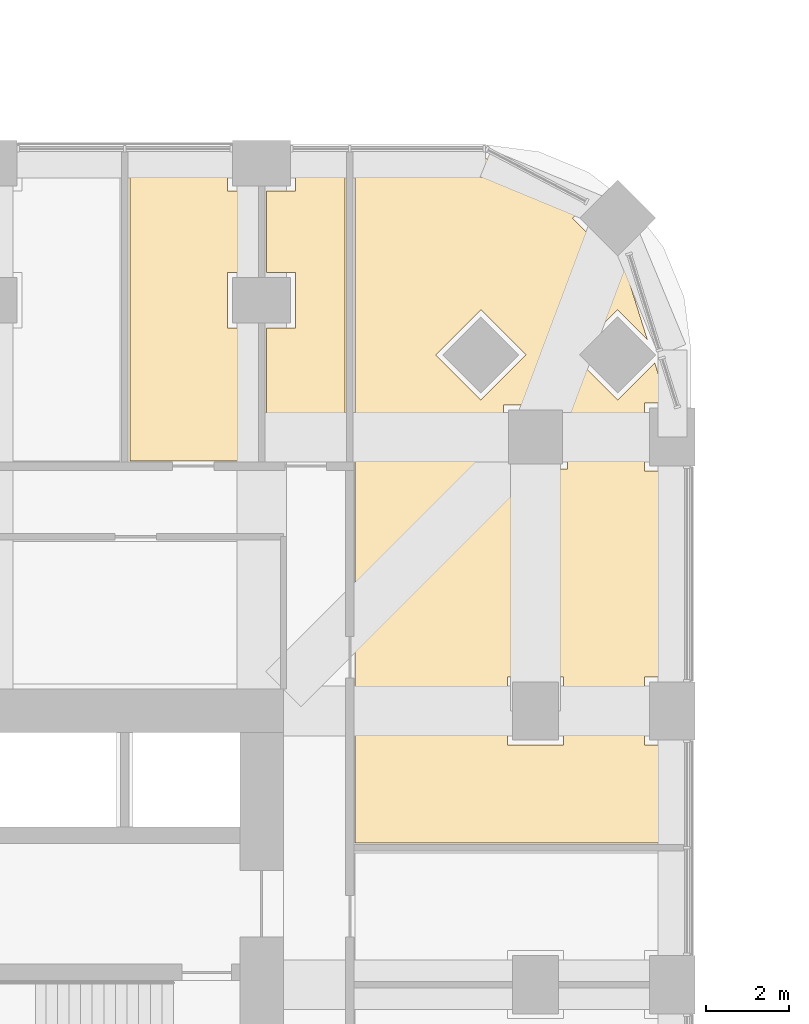
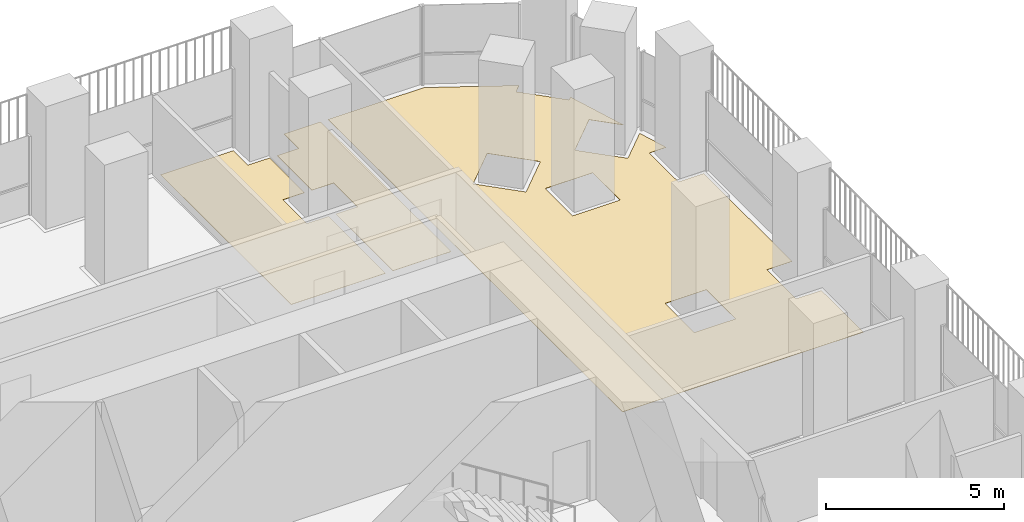
# One storey, part 20 of 21: 3 coverings.
"""IFC4 building model written with IfcOpenShell, lengths in metres."""

from ifc_helpers import new_model, si_unit, direction, frame, origin, place, context, subcontext, project, spatial, polyline, outline, extrude, material, layer, layer_set, type_object, element, save


model = new_model("IFC4")

# Units and contexts
model_context = context("Model", 3, precision=1e-05, world=origin(), true_north=direction((0.0, 1.0)))
body_context = subcontext(model_context, "Body", "Model", "MODEL_VIEW")
ifc_project = project(units=[si_unit("LENGTHUNIT", "METRE"), si_unit("AREAUNIT", "SQUARE_METRE"), si_unit("VOLUMEUNIT", "CUBIC_METRE"), si_unit("PLANEANGLEUNIT", "RADIAN"), si_unit("MASSUNIT", "GRAM", prefix="KILO")], contexts=[model_context])

# Site, building, storey
site_placement = place(None, origin())
site = spatial("IfcSite", under=ifc_project, at=site_placement, CompositionType="ELEMENT")
building_placement = place(site_placement, origin())
building = spatial("IfcBuilding", under=site, at=building_placement, Name="Cobogo Forest Laboratory Tower", CompositionType="ELEMENT")
storey_placement = place(building_placement, frame((0.0, 0.0, 124.199951171875)))
storey = spatial("IfcBuildingStorey", under=building, at=storey_placement, Name="L28", CompositionType="ELEMENT", Elevation=124.199951171875)

# Coverings
ifc_material_1 = material(Name="Carpet tile on raised access floor", Category="flooring")
ifc_layer_1 = layer(ifc_material_1, 0.008056640625)
ifc_layer_set_1 = layer_set([ifc_layer_1], Name="CT1 carpet tile floor 8")
covering_type_1 = type_object("IfcCoveringType", Name="CT1 carpet tile floor 8", PredefinedType="FLOORING", material=ifc_layer_set_1)
covering_1_placement = place(storey_placement, origin())
element("IfcCovering", 1, at=covering_1_placement, inside=storey, type_object=covering_type_1, Name="Carpet floor L28-15", PredefinedType="FLOORING", context=body_context, shape_type="SweptSolid", body=[
    extrude(outline(polyline([(41.844970703125, 46.35009765625), (44.95068359375, 46.35009765625), (47.3193359375, 45.1083984375), (47.093017578125, 44.882080078125), (48.181884765625, 43.79296875), (48.283935546875, 43.89501953125), (48.89599609375, 41.95703125), (48.181884765625, 42.6708984375), (47.093017578125, 41.58203125), (48.181884765625, 40.492919921875), (49.075927734375, 41.386962890625), (49.38134765625, 40.419921875), (48.830078125, 40.419921875), (48.830078125, 38.780029296875), (49.64990234375, 38.780029296875), (49.64990234375, 33.820068359375), (48.830078125, 33.820068359375), (48.830078125, 32.179931640625), (49.64990234375, 32.179931640625), (49.64990234375, 29.820068359375), (41.844970703125, 29.820068359375), (41.844970703125, 46.35009765625)]), holes=[polyline([(45.429931640625, 40.3701171875), (45.429931640625, 38.830078125), (46.969970703125, 38.830078125), (46.969970703125, 40.3701171875), (45.429931640625, 40.3701171875)]), polyline([(46.8701171875, 32.179931640625), (46.8701171875, 33.820068359375), (45.530029296875, 33.820068359375), (45.530029296875, 32.179931640625), (46.8701171875, 32.179931640625)]), polyline([(43.79296875, 41.58203125), (44.882080078125, 40.492919921875), (45.970947265625, 41.58203125), (44.882080078125, 42.6708984375), (43.79296875, 41.58203125)])]), origin(), (0.0, 0.0, 1.0), 0.008056640625),
])
ifc_material_2 = material(Name="Ceramic floor tile", Category="flooring")
ifc_layer_2 = layer(ifc_material_2, 0.010009765625)
ifc_layer_set_2 = layer_set([ifc_layer_2], Name="TF1 ceramic tile floor 10")
covering_type_2 = type_object("IfcCoveringType", Name="TF1 ceramic tile floor 10", PredefinedType="FLOORING", material=ifc_layer_set_2)
covering_2_placement = place(storey_placement, origin())
element("IfcCovering", 2, at=covering_2_placement, inside=storey, type_object=covering_type_2, Name="Tile floor L28-17", PredefinedType="FLOORING", context=body_context, shape_type="SweptSolid", body=[
    extrude(outline(polyline([(36.419921875, 39.02001953125), (36.419921875, 46.35009765625), (38.780029296875, 46.35009765625), (38.780029296875, 45.530029296875), (39.47998046875, 45.530029296875), (39.47998046875, 43.570068359375), (38.780029296875, 43.570068359375), (38.780029296875, 42.22998046875), (39.47998046875, 42.22998046875), (39.47998046875, 39.02001953125), (36.419921875, 39.02001953125)])), origin(), (0.0, 0.0, 1.0), 0.010009765625),
])
covering_3_placement = place(storey_placement, origin())
element("IfcCovering", 3, at=covering_3_placement, inside=storey, type_object=covering_type_2, Name="Tile floor L28-18", PredefinedType="FLOORING", context=body_context, shape_type="SweptSolid", body=[
    extrude(outline(polyline([(39.719970703125, 39.02001953125), (39.719970703125, 42.22998046875), (40.419921875, 42.22998046875), (40.419921875, 43.570068359375), (39.719970703125, 43.570068359375), (39.719970703125, 45.530029296875), (40.419921875, 45.530029296875), (40.419921875, 46.35009765625), (41.60498046875, 46.35009765625), (41.60498046875, 39.02001953125), (39.719970703125, 39.02001953125)])), origin(), (0.0, 0.0, 1.0), 0.010009765625),
])

save(model, "model.ifc")
